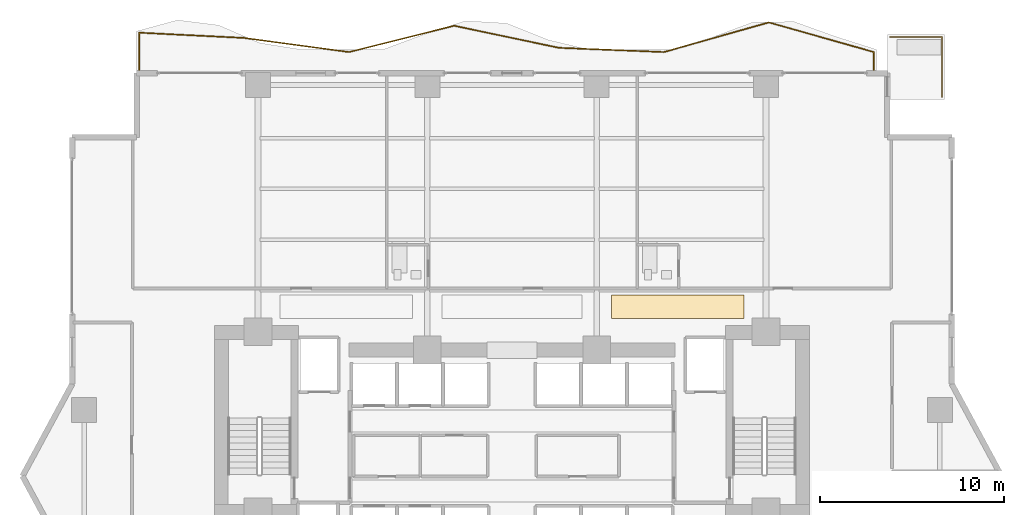
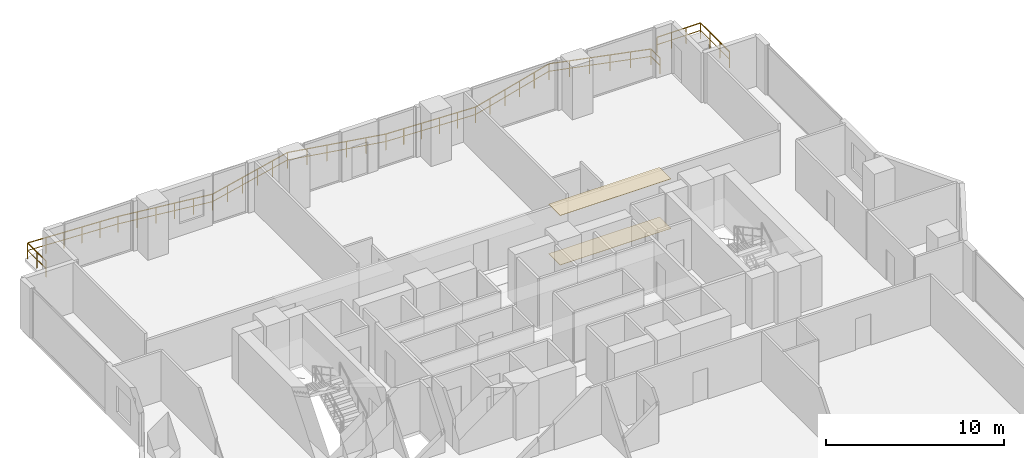
# One storey, part 27 of 28: 2 coverings, 2 railings.
"""IFC4 building model written with IfcOpenShell, lengths in metres."""

import ifcopenshell
import ifcopenshell.guid

model = None  # the IFC model being written
_history = None  # IfcOwnerHistory: only IFC2X3 demands one
_inside = {}  # id of a spatial element -> (the spatial element, [elements in it])
_under = {}  # id of a project, library or spatial element -> (it, [spatial elements below it])
_declared = {}  # id of a project -> (the project, [libraries it declares])
_typed = {}  # id of a type object -> (the type object, [elements of that type])
_made_of = {}  # id of a material, layer set ... -> (it, [elements and type objects made of it])


def new_model(schema):
    """Start an empty IFC model of exactly this schema.

    Asked for "IFC4X3", IfcOpenShell would pick the latest addendum, in which some entities
    have other attributes; the version numbers below select the first issue.
    IFC2X3 requires an IfcOwnerHistory on every rooted entity: one is made here for all.
    """
    global model, _history
    if schema == "IFC4X3":
        model = ifcopenshell.file(schema_version=(4, 3, 0, 0))
    else:
        model = ifcopenshell.file(schema=schema)
    _inside.clear()
    _under.clear()
    _declared.clear()
    _typed.clear()
    _made_of.clear()
    _history = None
    if model.schema == "IFC2X3":
        org = make("IfcOrganization", Name="unknown")
        user = make(
            "IfcPersonAndOrganization",
            ThePerson=make("IfcPerson", FamilyName="unknown"),
            TheOrganization=org,
        )
        app = make(
            "IfcApplication",
            ApplicationDeveloper=org,
            Version="unknown",
            ApplicationFullName="unknown",
            ApplicationIdentifier="unknown",
        )
        _history = make(
            "IfcOwnerHistory",
            OwningUser=user,
            OwningApplication=app,
            ChangeAction="ADDED",
            CreationDate=0,
        )
    return model


def make(cls, **values):
    """One entity of the class cls with the attributes given. An attribute that is None is left unset."""
    return model.create_entity(
        cls, **{name: value for name, value in values.items() if value is not None}
    )


def rooted(cls, **values):
    """An entity with a GlobalId (a new one), such as an element, a storey or a relation."""
    return make(cls, GlobalId=ifcopenshell.guid.new(), OwnerHistory=_history, **values)


def si_unit(unit_type, name, prefix=None):
    """IfcSIUnit, for example si_unit("LENGTHUNIT", "METRE", prefix="MILLI")."""
    return make("IfcSIUnit", UnitType=unit_type, Prefix=prefix, Name=name)


def assignment(units):
    """IfcUnitAssignment: the units of a project."""
    return None if units is None else make("IfcUnitAssignment", Units=units)


def point(xyz):
    """IfcCartesianPoint."""
    return None if xyz is None else make("IfcCartesianPoint", Coordinates=xyz)


def direction(xyz):
    """IfcDirection."""
    return None if xyz is None else make("IfcDirection", DirectionRatios=xyz)


def frame(location, z_axis=None, x_axis=None):
    """IfcAxis2Placement3D, a coordinate frame: its origin and axes. An axis left out is left unset."""
    return make(
        "IfcAxis2Placement3D",
        Location=point(location),
        Axis=direction(z_axis),
        RefDirection=direction(x_axis),
    )


def frame_2d(location, x_axis=None):
    """IfcAxis2Placement2D, a coordinate frame in the plane: its origin and x axis."""
    return make(
        "IfcAxis2Placement2D", Location=point(location), RefDirection=direction(x_axis)
    )


def origin():
    """The frame at (0, 0, 0) with its axes left unset."""
    return frame((0.0, 0.0, 0.0))


def origin_2d():
    """The frame at (0, 0) in the plane with its x axis left unset."""
    return frame_2d((0.0, 0.0))


def place(relative_to, where):
    """IfcLocalPlacement: puts the frame where relative to a parent placement (None: the world)."""
    return make(
        "IfcLocalPlacement", PlacementRelTo=relative_to, RelativePlacement=where
    )


def context(
    kind, dimensions, precision=None, world=None, true_north=None, identifier=None
):
    """IfcGeometricRepresentationContext, for example the 3D "Model" context."""
    return make(
        "IfcGeometricRepresentationContext",
        ContextIdentifier=identifier,
        ContextType=kind,
        CoordinateSpaceDimension=dimensions,
        Precision=precision,
        WorldCoordinateSystem=world,
        TrueNorth=true_north,
    )


def subcontext(parent, identifier, kind, view, scale=None):
    """IfcGeometricRepresentationSubContext, for example "Body" below "Model"."""
    return make(
        "IfcGeometricRepresentationSubContext",
        ContextIdentifier=identifier,
        ContextType=kind,
        ParentContext=parent,
        TargetScale=scale,
        TargetView=view,
    )


def project(units=None, contexts=None):
    """IfcProject with its units and contexts."""
    return rooted(
        "IfcProject",
        Name="project",
        RepresentationContexts=contexts,
        UnitsInContext=assignment(units),
    )


def spatial(cls, under=None, at=None, **own):
    """A site, building, storey or space (cls), placed at a placement, below another one or the project."""
    s = rooted(cls, ObjectPlacement=at, **own)
    if under is not None:
        _under.setdefault(under.id(), (under, []))[1].append(s)
    return s


def polyline(points):
    """IfcPolyline through the points."""
    return make("IfcPolyline", Points=[point(p) for p in points])


def profile(cls, at=None, kind="AREA", **sizes):
    """A parametric profile (cls). Its sizes go by their IFC names, for example OverallWidth=200.0."""
    return make(cls, ProfileType=kind, Position=at, **sizes)


def rectangle(**sizes):
    """IfcRectangleProfileDef."""
    return profile("IfcRectangleProfileDef", **sizes)


def outline(outer, holes=None, kind="AREA"):
    """IfcArbitraryClosedProfileDef: a profile drawn as a closed curve; with holes, ...WithVoids."""
    if holes is None:
        return make("IfcArbitraryClosedProfileDef", ProfileType=kind, OuterCurve=outer)
    return make(
        "IfcArbitraryProfileDefWithVoids",
        ProfileType=kind,
        OuterCurve=outer,
        InnerCurves=holes,
    )


def extrude(swept, where, along, depth):
    """IfcExtrudedAreaSolid: the profile swept, set in the frame where, extruded along a direction by depth."""
    return make(
        "IfcExtrudedAreaSolid",
        SweptArea=swept,
        Position=where,
        ExtrudedDirection=direction(along),
        Depth=depth,
    )


def shape(context_of_items, identifier, shape_type, items):
    """IfcShapeRepresentation: the items that make up one representation, for example the "Body"."""
    return make(
        "IfcShapeRepresentation",
        ContextOfItems=context_of_items,
        RepresentationIdentifier=identifier,
        RepresentationType=shape_type,
        Items=items,
    )


def material(Name=None, Category=None):
    """IfcMaterial."""
    return make("IfcMaterial", Name=Name, Category=Category)


def layer(
    of_material, thickness, ventilated=None, Name=None, Category=None, Priority=None
):
    """IfcMaterialLayer: one layer of a wall or slab, of a material (None: an air gap)."""
    return make(
        "IfcMaterialLayer",
        Material=of_material,
        LayerThickness=thickness,
        IsVentilated=ventilated,
        Name=Name,
        Category=Category,
        Priority=Priority,
    )


def layer_set(layers, Name=None):
    """IfcMaterialLayerSet."""
    return make("IfcMaterialLayerSet", MaterialLayers=layers, LayerSetName=Name)


def made_of(thing, what):
    """Note that an element or type object is made of a material, layer set ...; save() writes the relation."""
    if what is not None:
        _made_of.setdefault(what.id(), (what, []))[1].append(thing)
    return thing


def type_object(cls, material=None, **own):
    """A type object (cls), such as IfcWallType, which elements share."""
    return made_of(rooted(cls, **own), material)


def element(
    cls,
    number,
    at=None,
    inside=None,
    cuts=None,
    type_object=None,
    material=None,
    context=None,
    identifier="Body",
    shape_type=None,
    held_by="IfcProductDefinitionShape",
    body=None,
    shapes=None,
    **own,
):
    """One element of the class cls, such as IfcWall. Its Tag is "e" and its number.

    at: its placement. inside: the storey or other place that contains it. cuts: it is an
    opening in that element (IfcRelVoidsElement). A single representation is given by context,
    identifier, shape_type and body (its items); several are given by shapes. held_by: the class
    of the entity that holds the representations. save() writes the other relations.
    """
    e = rooted(cls, Tag="e%d" % number, ObjectPlacement=at, **own)
    if body is not None:
        shapes = [shape(context, identifier, shape_type, body)]
    if shapes is not None:
        e.Representation = make(held_by, Representations=shapes)
    if inside is not None:
        _inside.setdefault(inside.id(), (inside, []))[1].append(e)
    if cuts is not None:
        rooted(
            "IfcRelVoidsElement", RelatingBuildingElement=cuts, RelatedOpeningElement=e
        )
    if type_object is not None:
        _typed.setdefault(type_object.id(), (type_object, []))[1].append(e)
    return made_of(e, material)


def aggregate(whole, parts):
    """IfcRelAggregates: a whole, such as a stair, and the parts it consists of."""
    return rooted("IfcRelAggregates", RelatingObject=whole, RelatedObjects=parts)


def save(model, path):
    """Write the relations noted so far, then the file.

    IfcRelAggregates (storeys below a building ...), IfcRelContainedInSpatialStructure (elements
    in a storey), IfcRelDefinesByType, IfcRelAssociatesMaterial and IfcRelDeclares: one each for
    every whole, place, type object, material and project.
    """
    for whole, parts in _under.values():
        aggregate(whole, parts)
    for where, things in _inside.values():
        rooted(
            "IfcRelContainedInSpatialStructure",
            RelatedElements=things,
            RelatingStructure=where,
        )
    for kind, things in _typed.values():
        rooted("IfcRelDefinesByType", RelatedObjects=things, RelatingType=kind)
    for what, things in _made_of.values():
        rooted("IfcRelAssociatesMaterial", RelatedObjects=things, RelatingMaterial=what)
    for by, libraries in _declared.values():
        rooted("IfcRelDeclares", RelatingContext=by, RelatedDefinitions=libraries)
    model.write(path)


model = new_model("IFC4")

# Units and contexts
model_context = context("Model", 3, precision=1e-05, world=origin(), true_north=direction((0.0, 1.0)))
body_context = subcontext(model_context, "Body", "Model", "MODEL_VIEW")
ifc_project = project(units=[si_unit("LENGTHUNIT", "METRE"), si_unit("AREAUNIT", "SQUARE_METRE"), si_unit("VOLUMEUNIT", "CUBIC_METRE"), si_unit("PLANEANGLEUNIT", "RADIAN"), si_unit("MASSUNIT", "GRAM", prefix="KILO")], contexts=[model_context])

# Site, building, storey
site_placement = place(None, origin())
site = spatial("IfcSite", under=ifc_project, at=site_placement, CompositionType="ELEMENT")
building_placement = place(site_placement, origin())
building = spatial("IfcBuilding", under=site, at=building_placement, Name="Zuhayl Quay Hotel", CompositionType="ELEMENT")
storey_placement = place(building_placement, frame((0.0, 0.0, 139.449951171875)))
storey = spatial("IfcBuildingStorey", under=building, at=storey_placement, Name="L35", CompositionType="ELEMENT", Elevation=139.449951171875)

# Coverings
ifc_material_1 = material(Name="Acoustic Mineral-Fibre Gypsum Board")
ifc_layer_1 = layer(ifc_material_1, 0.02490234375, Name="Acoustic Mineral-Fibre Gypsum Board")
ifc_layer_set_1 = layer_set([ifc_layer_1], Name="Acoustic Mineral-Fibre Gypsum Board")
covering_type_1 = type_object("IfcCoveringType", Name="CV_CEIL_ACOUSTIC", PredefinedType="CEILING", material=ifc_layer_set_1)
covering_1_placement = place(storey_placement, frame((0.0, 0.0, 3.405029296875)))
element("IfcCovering", 1, at=covering_1_placement, inside=storey, type_object=covering_type_1, Name="L35 Guest Corridor Acoustic Ceiling CE", PredefinedType="CEILING", context=body_context, shape_type="SweptSolid", body=[
    extrude(outline(polyline([(5.39990234375, 15.050048828125), (12.60009765625, 15.050048828125), (12.60009765625, 16.35009765625), (5.39990234375, 16.35009765625), (5.39990234375, 15.050048828125)])), origin(), (0.0, 0.0, 1.0), 0.02490234375),
])
ifc_material_2 = material(Name="Polished Limestone Terrazzo", Category="masonry")
ifc_layer_2 = layer(ifc_material_2, 0.02001953125, Name="Polished Limestone Terrazzo", Category="masonry")
ifc_layer_set_2 = layer_set([ifc_layer_2], Name="Polished Limestone Terrazzo")
covering_type_2 = type_object("IfcCoveringType", Name="CV_FLOOR_TERRAZZO", PredefinedType="FLOORING", material=ifc_layer_set_2)
covering_2_placement = place(storey_placement, origin())
element("IfcCovering", 2, at=covering_2_placement, inside=storey, type_object=covering_type_2, Name="L35 Guest Corridor Terrazzo Runner CE", PredefinedType="FLOORING", context=body_context, shape_type="SweptSolid", body=[
    extrude(outline(polyline([(5.39990234375, 15.050048828125), (12.60009765625, 15.050048828125), (12.60009765625, 16.35009765625), (5.39990234375, 16.35009765625), (5.39990234375, 15.050048828125)])), origin(), (0.0, 0.0, 1.0), 0.02001953125),
])

# Railings
ifc_material_3 = material(Name="Anodised Aluminium and Laminated Glass", Category="aluminium")
railing_type = type_object("IfcRailingType", Name="RL_EXT_BAL_1100", PredefinedType="BALUSTRADE", material=ifc_material_3)
railing_1_placement = place(storey_placement, frame((-20.260009765625, 28.52001953125, 0.0)))
element("IfcRailing", 3, at=railing_1_placement, inside=storey, type_object=railing_type, Name="L35 Balcony and Terrace Guard GR_L35_BAL_N", PredefinedType="BALUSTRADE", context=body_context, shape_type="SweptSolid", body=[
    extrude(rectangle(XDim=0.048095703125, YDim=0.048095703125, at=origin_2d()), frame((0.0, 0.0, 1.09619140625), z_axis=(0.0, 1.0, 0.0), x_axis=(-1.0, 0.0, 0.0)), (0.0, 0.0, 1.0), 2.073486328125),
    extrude(rectangle(XDim=0.0361328125, YDim=0.0361328125, at=origin_2d()), frame((0.0, 0.0, 0.58251953125), z_axis=(0.0, 1.0, 0.0), x_axis=(-1.0, 0.0, 0.0)), (0.0, 0.0, 1.0), 2.073486328125),
    extrude(rectangle(XDim=0.048095703125, YDim=0.048095703125, at=origin_2d()), frame((0.0, 2.073486328125, 1.09619140625), z_axis=(0.998743687388, -0.050110347259, 0.0), x_axis=(0.050110347259, 0.998743687388, 0.0)), (0.0, 0.0, 1.0), 5.7099609375),
    extrude(rectangle(XDim=0.0361328125, YDim=0.0361328125, at=origin_2d()), frame((0.0, 2.073486328125, 0.58251953125), z_axis=(0.998743687388, -0.050110347259, 0.0), x_axis=(0.050110347259, 0.998743687388, 0.0)), (0.0, 0.0, 1.0), 5.7099609375),
    extrude(rectangle(XDim=0.048095703125, YDim=0.048095703125, at=origin_2d()), frame((5.702880859375, 1.787353515625, 1.09619140625), z_axis=(0.991068966472, -0.133350304449, 0.0), x_axis=(0.133350304449, 0.991068966472, 0.0)), (0.0, 0.0, 1.0), 5.754150390625),
    extrude(rectangle(XDim=0.0361328125, YDim=0.0361328125, at=origin_2d()), frame((5.702880859375, 1.787353515625, 0.58251953125), z_axis=(0.991068966472, -0.133350304449, 0.0), x_axis=(0.133350304449, 0.991068966472, 0.0)), (0.0, 0.0, 1.0), 5.754150390625),
    extrude(rectangle(XDim=0.048095703125, YDim=0.048095703125, at=origin_2d()), frame((11.40576171875, 1.02001953125, 1.09619140625), z_axis=(0.969924727823, 0.2434050582, 0.0), x_axis=(-0.2434050582, 0.969924727823, 0.0)), (0.0, 0.0, 1.0), 5.879638671875),
    extrude(rectangle(XDim=0.0361328125, YDim=0.0361328125, at=origin_2d()), frame((11.40576171875, 1.02001953125, 0.58251953125), z_axis=(0.969924727823, 0.2434050582, 0.0), x_axis=(-0.2434050582, 0.969924727823, 0.0)), (0.0, 0.0, 1.0), 5.879638671875),
    extrude(rectangle(XDim=0.048095703125, YDim=0.048095703125, at=origin_2d()), frame((17.108642578125, 2.451171875, 1.09619140625), z_axis=(0.978547118062, -0.206023148535, 0.0), x_axis=(0.206023148535, 0.978547118062, 0.0)), (0.0, 0.0, 1.0), 5.827880859375),
    extrude(rectangle(XDim=0.0361328125, YDim=0.0361328125, at=origin_2d()), frame((17.108642578125, 2.451171875, 0.58251953125), z_axis=(0.978547118062, -0.206023148535, 0.0), x_axis=(0.206023148535, 0.978547118062, 0.0)), (0.0, 0.0, 1.0), 5.827880859375),
    extrude(rectangle(XDim=0.048095703125, YDim=0.048095703125, at=origin_2d()), frame((22.8115234375, 1.25048828125, 1.09619140625), z_axis=(0.999184406164, -0.040379728559, 0.0), x_axis=(0.040379728559, 0.999184406164, 0.0)), (0.0, 0.0, 1.0), 5.70751953125),
    extrude(rectangle(XDim=0.0361328125, YDim=0.0361328125, at=origin_2d()), frame((22.8115234375, 1.25048828125, 0.58251953125), z_axis=(0.999184406164, -0.040379728559, 0.0), x_axis=(0.040379728559, 0.999184406164, 0.0)), (0.0, 0.0, 1.0), 5.70751953125),
    extrude(rectangle(XDim=0.048095703125, YDim=0.048095703125, at=origin_2d()), frame((28.514404296875, 1.02001953125, 1.09619140625), z_axis=(0.96234361742, 0.271835910084, 0.0), x_axis=(-0.271835910084, 0.96234361742, 0.0)), (0.0, 0.0, 1.0), 5.92578125),
    extrude(rectangle(XDim=0.0361328125, YDim=0.0361328125, at=origin_2d()), frame((28.514404296875, 1.02001953125, 0.58251953125), z_axis=(0.96234361742, 0.271835910084, 0.0), x_axis=(-0.271835910084, 0.96234361742, 0.0)), (0.0, 0.0, 1.0), 5.92578125),
    extrude(rectangle(XDim=0.048095703125, YDim=0.048095703125, at=origin_2d()), frame((34.217041015625, 2.630859375, 1.09619140625), z_axis=(0.962346661684, -0.271825132659, 0.0), x_axis=(0.271825132659, 0.962346661684, 0.0)), (0.0, 0.0, 1.0), 5.926025390625),
    extrude(rectangle(XDim=0.0361328125, YDim=0.0361328125, at=origin_2d()), frame((34.217041015625, 2.630859375, 0.58251953125), z_axis=(0.962346661684, -0.271825132659, 0.0), x_axis=(0.271825132659, 0.962346661684, 0.0)), (0.0, 0.0, 1.0), 5.926025390625),
    extrude(rectangle(XDim=0.048095703125, YDim=0.048095703125, at=origin_2d()), frame((39.919921875, 1.02001953125, 1.09619140625), z_axis=(0.0, -1.0, 0.0), x_axis=(1.0, 0.0, 0.0)), (0.0, 0.0, 1.0), 1.02001953125),
    extrude(rectangle(XDim=0.0361328125, YDim=0.0361328125, at=origin_2d()), frame((39.919921875, 1.02001953125, 0.58251953125), z_axis=(0.0, -1.0, 0.0), x_axis=(1.0, 0.0, 0.0)), (0.0, 0.0, 1.0), 1.02001953125),
    extrude(rectangle(XDim=0.0419921875, YDim=0.0419921875, at=origin_2d()), origin(), (0.0, 0.0, 1.0), 1.072021484375),
    extrude(rectangle(XDim=0.0419921875, YDim=0.0419921875, at=origin_2d()), frame((0.0, 1.03662109375, 0.0)), (0.0, 0.0, 1.0), 1.072021484375),
    extrude(rectangle(XDim=0.0419921875, YDim=0.0419921875, at=origin_2d()), frame((0.0, 2.073486328125, 0.0)), (0.0, 0.0, 1.0), 1.072021484375),
    extrude(rectangle(XDim=0.0419921875, YDim=0.0419921875, at=origin_2d()), frame((1.140625, 2.016357421875, 0.0)), (0.0, 0.0, 1.0), 1.072021484375),
    extrude(rectangle(XDim=0.0419921875, YDim=0.0419921875, at=origin_2d()), frame((2.28125, 1.958984375, 0.0)), (0.0, 0.0, 1.0), 1.072021484375),
    extrude(rectangle(XDim=0.0419921875, YDim=0.0419921875, at=origin_2d()), frame((3.421630859375, 1.90185546875, 0.0)), (0.0, 0.0, 1.0), 1.072021484375),
    extrude(rectangle(XDim=0.0419921875, YDim=0.0419921875, at=origin_2d()), frame((4.562255859375, 1.844482421875, 0.0)), (0.0, 0.0, 1.0), 1.072021484375),
    extrude(rectangle(XDim=0.0419921875, YDim=0.0419921875, at=origin_2d()), frame((5.702880859375, 1.787353515625, 0.0)), (0.0, 0.0, 1.0), 1.072021484375),
    extrude(rectangle(XDim=0.0419921875, YDim=0.0419921875, at=origin_2d()), frame((6.843505859375, 1.6337890625, 0.0)), (0.0, 0.0, 1.0), 1.072021484375),
    extrude(rectangle(XDim=0.0419921875, YDim=0.0419921875, at=origin_2d()), frame((7.984130859375, 1.48046875, 0.0)), (0.0, 0.0, 1.0), 1.072021484375),
    extrude(rectangle(XDim=0.0419921875, YDim=0.0419921875, at=origin_2d()), frame((9.12451171875, 1.326904296875, 0.0)), (0.0, 0.0, 1.0), 1.072021484375),
    extrude(rectangle(XDim=0.0419921875, YDim=0.0419921875, at=origin_2d()), frame((10.26513671875, 1.173583984375, 0.0)), (0.0, 0.0, 1.0), 1.072021484375),
    extrude(rectangle(XDim=0.0419921875, YDim=0.0419921875, at=origin_2d()), frame((11.40576171875, 1.02001953125, 0.0)), (0.0, 0.0, 1.0), 1.072021484375),
    extrude(rectangle(XDim=0.0419921875, YDim=0.0419921875, at=origin_2d()), frame((12.54638671875, 1.30615234375, 0.0)), (0.0, 0.0, 1.0), 1.072021484375),
    extrude(rectangle(XDim=0.0419921875, YDim=0.0419921875, at=origin_2d()), frame((13.68701171875, 1.592529296875, 0.0)), (0.0, 0.0, 1.0), 1.072021484375),
    extrude(rectangle(XDim=0.0419921875, YDim=0.0419921875, at=origin_2d()), frame((14.827392578125, 1.878662109375, 0.0)), (0.0, 0.0, 1.0), 1.072021484375),
    extrude(rectangle(XDim=0.0419921875, YDim=0.0419921875, at=origin_2d()), frame((15.968017578125, 2.1650390625, 0.0)), (0.0, 0.0, 1.0), 1.072021484375),
    extrude(rectangle(XDim=0.0419921875, YDim=0.0419921875, at=origin_2d()), frame((17.108642578125, 2.451171875, 0.0)), (0.0, 0.0, 1.0), 1.072021484375),
    extrude(rectangle(XDim=0.0419921875, YDim=0.0419921875, at=origin_2d()), frame((18.249267578125, 2.2109375, 0.0)), (0.0, 0.0, 1.0), 1.072021484375),
    extrude(rectangle(XDim=0.0419921875, YDim=0.0419921875, at=origin_2d()), frame((19.389892578125, 1.970947265625, 0.0)), (0.0, 0.0, 1.0), 1.072021484375),
    extrude(rectangle(XDim=0.0419921875, YDim=0.0419921875, at=origin_2d()), frame((20.5302734375, 1.730712890625, 0.0)), (0.0, 0.0, 1.0), 1.072021484375),
    extrude(rectangle(XDim=0.0419921875, YDim=0.0419921875, at=origin_2d()), frame((21.6708984375, 1.49072265625, 0.0)), (0.0, 0.0, 1.0), 1.072021484375),
    extrude(rectangle(XDim=0.0419921875, YDim=0.0419921875, at=origin_2d()), frame((22.8115234375, 1.25048828125, 0.0)), (0.0, 0.0, 1.0), 1.072021484375),
    extrude(rectangle(XDim=0.0419921875, YDim=0.0419921875, at=origin_2d()), frame((23.9521484375, 1.204345703125, 0.0)), (0.0, 0.0, 1.0), 1.072021484375),
    extrude(rectangle(XDim=0.0419921875, YDim=0.0419921875, at=origin_2d()), frame((25.0927734375, 1.158203125, 0.0)), (0.0, 0.0, 1.0), 1.072021484375),
    extrude(rectangle(XDim=0.0419921875, YDim=0.0419921875, at=origin_2d()), frame((26.233154296875, 1.1123046875, 0.0)), (0.0, 0.0, 1.0), 1.072021484375),
    extrude(rectangle(XDim=0.0419921875, YDim=0.0419921875, at=origin_2d()), frame((27.373779296875, 1.066162109375, 0.0)), (0.0, 0.0, 1.0), 1.072021484375),
    extrude(rectangle(XDim=0.0419921875, YDim=0.0419921875, at=origin_2d()), frame((28.514404296875, 1.02001953125, 0.0)), (0.0, 0.0, 1.0), 1.072021484375),
    extrude(rectangle(XDim=0.0419921875, YDim=0.0419921875, at=origin_2d()), frame((29.655029296875, 1.34228515625, 0.0)), (0.0, 0.0, 1.0), 1.072021484375),
    extrude(rectangle(XDim=0.0419921875, YDim=0.0419921875, at=origin_2d()), frame((30.79541015625, 1.664306640625, 0.0)), (0.0, 0.0, 1.0), 1.072021484375),
    extrude(rectangle(XDim=0.0419921875, YDim=0.0419921875, at=origin_2d()), frame((31.93603515625, 1.986572265625, 0.0)), (0.0, 0.0, 1.0), 1.072021484375),
    extrude(rectangle(XDim=0.0419921875, YDim=0.0419921875, at=origin_2d()), frame((33.076416015625, 2.30859375, 0.0)), (0.0, 0.0, 1.0), 1.072021484375),
    extrude(rectangle(XDim=0.0419921875, YDim=0.0419921875, at=origin_2d()), frame((34.217041015625, 2.630859375, 0.0)), (0.0, 0.0, 1.0), 1.072021484375),
    extrude(rectangle(XDim=0.0419921875, YDim=0.0419921875, at=origin_2d()), frame((35.357666015625, 2.30859375, 0.0)), (0.0, 0.0, 1.0), 1.072021484375),
    extrude(rectangle(XDim=0.0419921875, YDim=0.0419921875, at=origin_2d()), frame((36.498291015625, 1.986572265625, 0.0)), (0.0, 0.0, 1.0), 1.072021484375),
    extrude(rectangle(XDim=0.0419921875, YDim=0.0419921875, at=origin_2d()), frame((37.638671875, 1.664306640625, 0.0)), (0.0, 0.0, 1.0), 1.072021484375),
    extrude(rectangle(XDim=0.0419921875, YDim=0.0419921875, at=origin_2d()), frame((38.779296875, 1.34228515625, 0.0)), (0.0, 0.0, 1.0), 1.072021484375),
    extrude(rectangle(XDim=0.0419921875, YDim=0.0419921875, at=origin_2d()), frame((39.919921875, 1.02001953125, 0.0)), (0.0, 0.0, 1.0), 1.072021484375),
    extrude(rectangle(XDim=0.0419921875, YDim=0.0419921875, at=origin_2d()), frame((39.919921875, 0.0, 0.0)), (0.0, 0.0, 1.0), 1.072021484375),
])
railing_2_placement = place(storey_placement, frame((23.360107421875, 27.090087890625, 0.0)))
element("IfcRailing", 4, at=railing_2_placement, inside=storey, type_object=railing_type, Name="L35 Balcony and Terrace Guard GR_L35_SPIRAL_NE", PredefinedType="BALUSTRADE", context=body_context, shape_type="SweptSolid", body=[
    extrude(rectangle(XDim=0.048095703125, YDim=0.048095703125, at=origin_2d()), frame((0.0, 0.0, 1.09619140625), z_axis=(0.0, 1.0, 0.0), x_axis=(-1.0, 0.0, 0.0)), (0.0, 0.0, 1.0), 3.27001953125),
    extrude(rectangle(XDim=0.0361328125, YDim=0.0361328125, at=origin_2d()), frame((0.0, 0.0, 0.58251953125), z_axis=(0.0, 1.0, 0.0), x_axis=(-1.0, 0.0, 0.0)), (0.0, 0.0, 1.0), 3.27001953125),
    extrude(rectangle(XDim=0.048095703125, YDim=0.048095703125, at=origin_2d()), frame((0.0, 3.27001953125, 1.09619140625), z_axis=(-1.0, 0.0, 0.0), x_axis=(0.0, -1.0, 0.0)), (0.0, 0.0, 1.0), 2.820068359375),
    extrude(rectangle(XDim=0.0361328125, YDim=0.0361328125, at=origin_2d()), frame((0.0, 3.27001953125, 0.58251953125), z_axis=(-1.0, 0.0, 0.0), x_axis=(0.0, -1.0, 0.0)), (0.0, 0.0, 1.0), 2.820068359375),
    extrude(rectangle(XDim=0.0419921875, YDim=0.0419921875, at=origin_2d()), origin(), (0.0, 0.0, 1.0), 1.072021484375),
    extrude(rectangle(XDim=0.0419921875, YDim=0.0419921875, at=origin_2d()), frame((0.0, 1.090087890625, 0.0)), (0.0, 0.0, 1.0), 1.072021484375),
    extrude(rectangle(XDim=0.0419921875, YDim=0.0419921875, at=origin_2d()), frame((0.0, 2.179931640625, 0.0)), (0.0, 0.0, 1.0), 1.072021484375),
    extrude(rectangle(XDim=0.0419921875, YDim=0.0419921875, at=origin_2d()), frame((0.0, 3.27001953125, 0.0)), (0.0, 0.0, 1.0), 1.072021484375),
    extrude(rectangle(XDim=0.0419921875, YDim=0.0419921875, at=origin_2d()), frame((-0.93994140625, 3.27001953125, 0.0)), (0.0, 0.0, 1.0), 1.072021484375),
    extrude(rectangle(XDim=0.0419921875, YDim=0.0419921875, at=origin_2d()), frame((-1.880126953125, 3.27001953125, 0.0)), (0.0, 0.0, 1.0), 1.072021484375),
    extrude(rectangle(XDim=0.0419921875, YDim=0.0419921875, at=origin_2d()), frame((-2.820068359375, 3.27001953125, 0.0)), (0.0, 0.0, 1.0), 1.072021484375),
])

save(model, "model.ifc")
